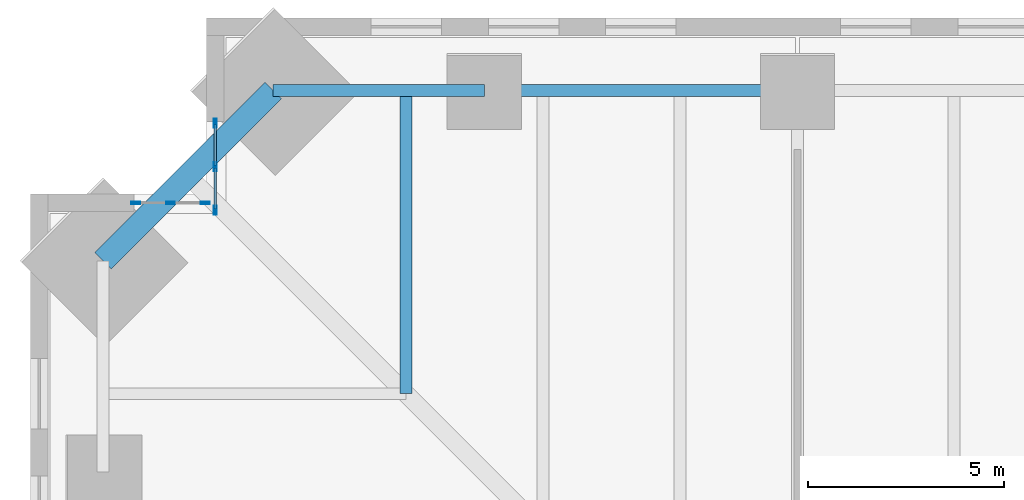
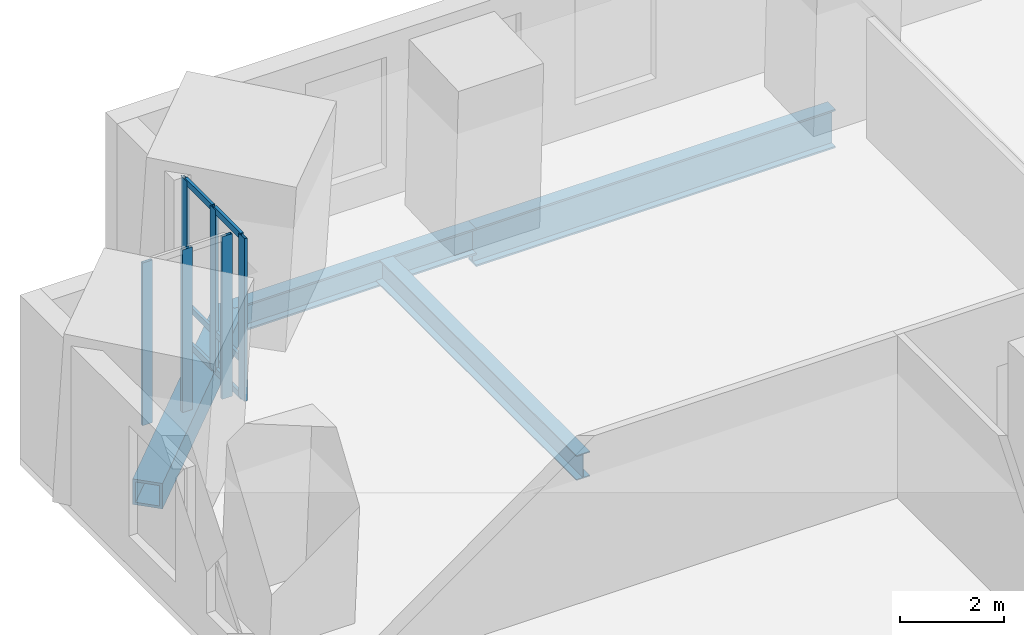
# One storey, part 6 of 16: 12 members, 4 beams, 2 elements without a shape of their own.
"""IFC4 building model written with IfcOpenShell, lengths in metres."""

from ifc_helpers import new_model, si_unit, direction, frame, origin, origin_2d, place, context, subcontext, project, spatial, hollow_rectangle, i_section, extrude, material, material_profile, profile_set, type_object, element, aggregate, save


model = new_model("IFC4")

# Units and contexts
model_context = context("Model", 3, precision=1e-05, world=origin(), true_north=direction((0.0, 1.0)))
body_context = subcontext(model_context, "Body", "Model", "MODEL_VIEW")
ifc_project = project(units=[si_unit("LENGTHUNIT", "METRE"), si_unit("AREAUNIT", "SQUARE_METRE"), si_unit("VOLUMEUNIT", "CUBIC_METRE"), si_unit("PLANEANGLEUNIT", "RADIAN"), si_unit("MASSUNIT", "GRAM", prefix="KILO")], contexts=[model_context])

# Site, building, storey
site_placement = place(None, origin())
site = spatial("IfcSite", under=ifc_project, at=site_placement, CompositionType="ELEMENT")
building_placement = place(site_placement, origin())
building = spatial("IfcBuilding", under=site, at=building_placement, Name="Peilmerk Tower", CompositionType="ELEMENT")
storey_placement = place(building_placement, frame((0.0, 0.0, 127.800048828125)))
storey = spatial("IfcBuildingStorey", under=building, at=storey_placement, Name="L25", CompositionType="ELEMENT", Elevation=127.800048828125)

# Beams
ifc_material_1 = material(Name="Steel S355", Category="steel")
ifc_material_profile_1 = material_profile(ifc_material_1, i_section(OverallWidth=0.302001953125, OverallDepth=0.909912109375, WebThickness=0.02099609375, FlangeThickness=0.0400390625, at=origin_2d()), Name="HEM 900")
ifc_profile_set_1 = profile_set([ifc_material_profile_1], Name="Steel S355")
beam_type_1 = type_object("IfcBeamType", Name="B2 HEM 900 edge beam", PredefinedType="SPANDREL", material=ifc_profile_set_1)
beam_1_placement = place(storey_placement, frame((-8.0, 25.74365234375, -0.625), z_axis=(-1.0, 0.0, 0.0), x_axis=(0.0, -1.0, 0.0)))
element("IfcBeam", 1, at=beam_1_placement, inside=storey, type_object=beam_type_1, Name="Edge beam L25", PredefinedType="SPANDREL", context=body_context, shape_type="SweptSolid", body=[
    extrude(i_section(OverallWidth=0.302001953125, OverallDepth=0.909912109375, WebThickness=0.02099609375, FlangeThickness=0.0400390625, at=origin_2d()), origin(), (0.0, 0.0, 1.0), 8.0),
])
ifc_material_2 = material(Name="Steel S460", Category="steel")
ifc_material_profile_2 = material_profile(ifc_material_2, hollow_rectangle(XDim=0.60009765625, YDim=0.60009765625, WallThickness=0.06005859375, at=origin_2d()), Name="BOX 600x600x60")
ifc_profile_set_2 = profile_set([ifc_material_profile_2], Name="Steel S460")
beam_type_2 = type_object("IfcBeamType", Name="B20 BOX 600x600x60 notch beam", PredefinedType="SPANDREL", material=ifc_profile_set_2)
beam_2_placement = place(storey_placement, frame((-25.74365234375, 21.3935546875, -0.469970703125), z_axis=(0.707106781187, 0.707106781187, 0.0), x_axis=(-0.707106781187, 0.707106781187, 0.0)))
element("IfcBeam", 2, at=beam_2_placement, inside=storey, type_object=beam_type_2, Name="Notch beam L25", PredefinedType="SPANDREL", context=body_context, shape_type="SweptSolid", body=[
    extrude(hollow_rectangle(XDim=0.60009765625, YDim=0.60009765625, WallThickness=0.06005859375, at=origin_2d()), origin(), (0.0, 0.0, 1.0), 6.15185546875),
])
ifc_material_profile_3 = material_profile(ifc_material_1, i_section(OverallWidth=0.300048828125, OverallDepth=0.590087890625, WebThickness=0.012939453125, FlangeThickness=0.02490234375, at=origin_2d()), Name="HEA 600")
ifc_profile_set_3 = profile_set([ifc_material_profile_3], Name="Steel S355")
beam_type_3 = type_object("IfcBeamType", Name="B27 HEA 600 floor beam", PredefinedType="BEAM", material=ifc_profile_set_3)
beam_3_placement = place(storey_placement, frame((-18.0, 18.0, -0.465087890625), z_axis=(0.0, 1.0, 0.0), x_axis=(-1.0, 0.0, 0.0)))
element("IfcBeam", 3, at=beam_3_placement, inside=storey, type_object=beam_type_3, Name="Floor beam L25", PredefinedType="BEAM", context=body_context, shape_type="SweptSolid", body=[
    extrude(i_section(OverallWidth=0.300048828125, OverallDepth=0.590087890625, WebThickness=0.012939453125, FlangeThickness=0.02490234375, at=origin_2d()), origin(), (0.0, 0.0, 1.0), 7.74365234375),
])
ifc_material_profile_4 = material_profile(ifc_material_1, i_section(OverallWidth=0.304931640625, OverallDepth=0.6201171875, WebThickness=0.02099609375, FlangeThickness=0.0400390625, at=origin_2d()), Name="HEM 600")
ifc_profile_set_4 = profile_set([ifc_material_profile_4], Name="Steel S355")
beam_type_4 = type_object("IfcBeamType", Name="B31 HEM 600 edge beam", PredefinedType="SPANDREL", material=ifc_profile_set_4)
beam_4_placement = place(storey_placement, frame((-16.0, 25.74365234375, -0.47998046875), z_axis=(-1.0, 0.0, 0.0), x_axis=(0.0, -1.0, 0.0)))
element("IfcBeam", 4, at=beam_4_placement, inside=storey, type_object=beam_type_4, Name="Edge beam L25", PredefinedType="SPANDREL", context=body_context, shape_type="SweptSolid", body=[
    extrude(i_section(OverallWidth=0.304931640625, OverallDepth=0.6201171875, WebThickness=0.02099609375, FlangeThickness=0.0400390625, at=origin_2d()), origin(), (0.0, 0.0, 1.0), 5.3935546875),
])

# Curtain wall, members
ifc_material_3 = material(Name="Aluminium stick curtain wall", Category="aluminium")
curtain_wall_type = type_object("IfcCurtainWallType", Name="CW3 stick curtain wall, 2250 module", PredefinedType="NOTDEFINED", material=ifc_material_3)
curtain_wall_1_placement = place(storey_placement, origin())
curtain_wall_1 = element("IfcCurtainWall", 5, at=curtain_wall_1_placement, inside=storey, type_object=curtain_wall_type, Name="Curtain wall CW3 NWA L25", PredefinedType="NOTDEFINED")
ifc_material_4 = material(Name="Aluminium EN AW-6063 T6", Category="aluminium")
ifc_material_profile_5 = material_profile(ifc_material_4, hollow_rectangle(XDim=0.06494140625, YDim=0.22509765625, WallThickness=0.00390625, at=origin_2d()), Name="AL 225x65x4")
ifc_profile_set_5 = profile_set([ifc_material_profile_5], Name="Aluminium EN AW-6063 T6")
member_type_1 = type_object("IfcMemberType", Name="CW3-M AL 225x65x4 mullion", PredefinedType="MULLION", material=ifc_profile_set_5)
member_1_placement = place(storey_placement, frame((-22.875, 22.6826171875, 0.0), z_axis=(0.0, 0.0, 1.0), x_axis=(-1.0, 0.0, 0.0)))
member_1 = element("IfcMember", 6, at=member_1_placement, type_object=member_type_1, Name="CW3 mullion 1", PredefinedType="MULLION", context=body_context, shape_type="SweptSolid", body=[
    extrude(hollow_rectangle(XDim=0.06494140625, YDim=0.22509765625, WallThickness=0.00390625, at=origin_2d()), origin(), (0.0, 0.0, 1.0), 3.829833984375),
])
member_2_placement = place(storey_placement, frame((-22.875, 23.79443359375, 0.0), z_axis=(0.0, 0.0, 1.0), x_axis=(-1.0, 0.0, 0.0)))
member_2 = element("IfcMember", 7, at=member_2_placement, type_object=member_type_1, Name="CW3 mullion 2", PredefinedType="MULLION", context=body_context, shape_type="SweptSolid", body=[
    extrude(hollow_rectangle(XDim=0.06494140625, YDim=0.22509765625, WallThickness=0.00390625, at=origin_2d()), origin(), (0.0, 0.0, 1.0), 3.829833984375),
])
member_3_placement = place(storey_placement, frame((-22.875, 24.90625, 0.0), z_axis=(0.0, 0.0, 1.0), x_axis=(-1.0, 0.0, 0.0)))
member_3 = element("IfcMember", 8, at=member_3_placement, type_object=member_type_1, Name="CW3 mullion 3", PredefinedType="MULLION", context=body_context, shape_type="SweptSolid", body=[
    extrude(hollow_rectangle(XDim=0.06494140625, YDim=0.22509765625, WallThickness=0.00390625, at=origin_2d()), origin(), (0.0, 0.0, 1.0), 3.829833984375),
])

curtain_wall_2_placement = place(storey_placement, origin())
curtain_wall_2 = element("IfcCurtainWall", 9, at=curtain_wall_2_placement, inside=storey, type_object=curtain_wall_type, Name="Curtain wall CW3 NWB L25", PredefinedType="NOTDEFINED")
member_4_placement = place(storey_placement, frame((-23.132568359375, 22.875, 0.0), z_axis=(0.0, 0.0, 1.0), x_axis=(0.0, -1.0, 0.0)))
member_4 = element("IfcMember", 10, at=member_4_placement, type_object=member_type_1, Name="CW3 mullion 1", PredefinedType="MULLION", context=body_context, shape_type="SweptSolid", body=[
    extrude(hollow_rectangle(XDim=0.06494140625, YDim=0.22509765625, WallThickness=0.00390625, at=origin_2d()), origin(), (0.0, 0.0, 1.0), 3.829833984375),
])
member_5_placement = place(storey_placement, frame((-24.019287109375, 22.875, 0.0), z_axis=(0.0, 0.0, 1.0), x_axis=(0.0, -1.0, 0.0)))
member_5 = element("IfcMember", 11, at=member_5_placement, type_object=member_type_1, Name="CW3 mullion 2", PredefinedType="MULLION", context=body_context, shape_type="SweptSolid", body=[
    extrude(hollow_rectangle(XDim=0.06494140625, YDim=0.22509765625, WallThickness=0.00390625, at=origin_2d()), origin(), (0.0, 0.0, 1.0), 3.829833984375),
])
member_6_placement = place(storey_placement, frame((-24.90625, 22.875, 0.0), z_axis=(0.0, 0.0, 1.0), x_axis=(0.0, -1.0, 0.0)))
member_6 = element("IfcMember", 12, at=member_6_placement, type_object=member_type_1, Name="CW3 mullion 3", PredefinedType="MULLION", context=body_context, shape_type="SweptSolid", body=[
    extrude(hollow_rectangle(XDim=0.06494140625, YDim=0.22509765625, WallThickness=0.00390625, at=origin_2d()), origin(), (0.0, 0.0, 1.0), 3.829833984375),
])
aggregate(curtain_wall_2, [member_4, member_5, member_6])

# Member
ifc_material_profile_6 = material_profile(ifc_material_4, hollow_rectangle(XDim=0.06494140625, YDim=0.14990234375, WallThickness=0.0029296875, at=origin_2d()), Name="AL 150x65x3")
ifc_profile_set_6 = profile_set([ifc_material_profile_6], Name="Aluminium EN AW-6063 T6")
member_type_2 = type_object("IfcMemberType", Name="CW3-T AL 150x65x3 transom", PredefinedType="USERDEFINED", material=ifc_profile_set_6)
member_7_placement = place(storey_placement, frame((-22.875, 22.715087890625, 0.032470703125), z_axis=(0.0, 1.0, 0.0), x_axis=(-1.0, 0.0, 0.0)))
member_7 = element("IfcMember", 13, at=member_7_placement, type_object=member_type_2, Name="CW3 transom 1.1", ObjectType="TRANSOM", PredefinedType="USERDEFINED", context=body_context, shape_type="SweptSolid", body=[
    extrude(hollow_rectangle(XDim=0.06494140625, YDim=0.14990234375, WallThickness=0.0029296875, at=origin_2d()), origin(), (0.0, 0.0, 1.0), 1.046630859375),
])

member_8_placement = place(storey_placement, frame((-22.875, 22.715087890625, 0.89990234375), z_axis=(0.0, 1.0, 0.0), x_axis=(-1.0, 0.0, 0.0)))
member_8 = element("IfcMember", 14, at=member_8_placement, type_object=member_type_2, Name="CW3 transom 1.2", ObjectType="TRANSOM", PredefinedType="USERDEFINED", context=body_context, shape_type="SweptSolid", body=[
    extrude(hollow_rectangle(XDim=0.06494140625, YDim=0.14990234375, WallThickness=0.0029296875, at=origin_2d()), origin(), (0.0, 0.0, 1.0), 1.046630859375),
])

member_9_placement = place(storey_placement, frame((-22.875, 22.715087890625, 3.79736328125), z_axis=(0.0, 1.0, 0.0), x_axis=(-1.0, 0.0, 0.0)))
member_9 = element("IfcMember", 15, at=member_9_placement, type_object=member_type_2, Name="CW3 transom 1.3", ObjectType="TRANSOM", PredefinedType="USERDEFINED", context=body_context, shape_type="SweptSolid", body=[
    extrude(hollow_rectangle(XDim=0.06494140625, YDim=0.14990234375, WallThickness=0.0029296875, at=origin_2d()), origin(), (0.0, 0.0, 1.0), 1.046630859375),
])

member_10_placement = place(storey_placement, frame((-22.875, 23.826904296875, 0.032470703125), z_axis=(0.0, 1.0, 0.0), x_axis=(-1.0, 0.0, 0.0)))
member_10 = element("IfcMember", 16, at=member_10_placement, type_object=member_type_2, Name="CW3 transom 2.1", ObjectType="TRANSOM", PredefinedType="USERDEFINED", context=body_context, shape_type="SweptSolid", body=[
    extrude(hollow_rectangle(XDim=0.06494140625, YDim=0.14990234375, WallThickness=0.0029296875, at=origin_2d()), origin(), (0.0, 0.0, 1.0), 1.046875),
])

member_11_placement = place(storey_placement, frame((-22.875, 23.826904296875, 0.89990234375), z_axis=(0.0, 1.0, 0.0), x_axis=(-1.0, 0.0, 0.0)))
member_11 = element("IfcMember", 17, at=member_11_placement, type_object=member_type_2, Name="CW3 transom 2.2", ObjectType="TRANSOM", PredefinedType="USERDEFINED", context=body_context, shape_type="SweptSolid", body=[
    extrude(hollow_rectangle(XDim=0.06494140625, YDim=0.14990234375, WallThickness=0.0029296875, at=origin_2d()), origin(), (0.0, 0.0, 1.0), 1.046875),
])

member_12_placement = place(storey_placement, frame((-22.875, 23.826904296875, 3.79736328125), z_axis=(0.0, 1.0, 0.0), x_axis=(-1.0, 0.0, 0.0)))
member_12 = element("IfcMember", 18, at=member_12_placement, type_object=member_type_2, Name="CW3 transom 2.3", ObjectType="TRANSOM", PredefinedType="USERDEFINED", context=body_context, shape_type="SweptSolid", body=[
    extrude(hollow_rectangle(XDim=0.06494140625, YDim=0.14990234375, WallThickness=0.0029296875, at=origin_2d()), origin(), (0.0, 0.0, 1.0), 1.046875),
])

aggregate(curtain_wall_1, [member_1, member_2, member_3, member_7, member_8, member_9, member_10, member_11, member_12])

save(model, "model.ifc")
